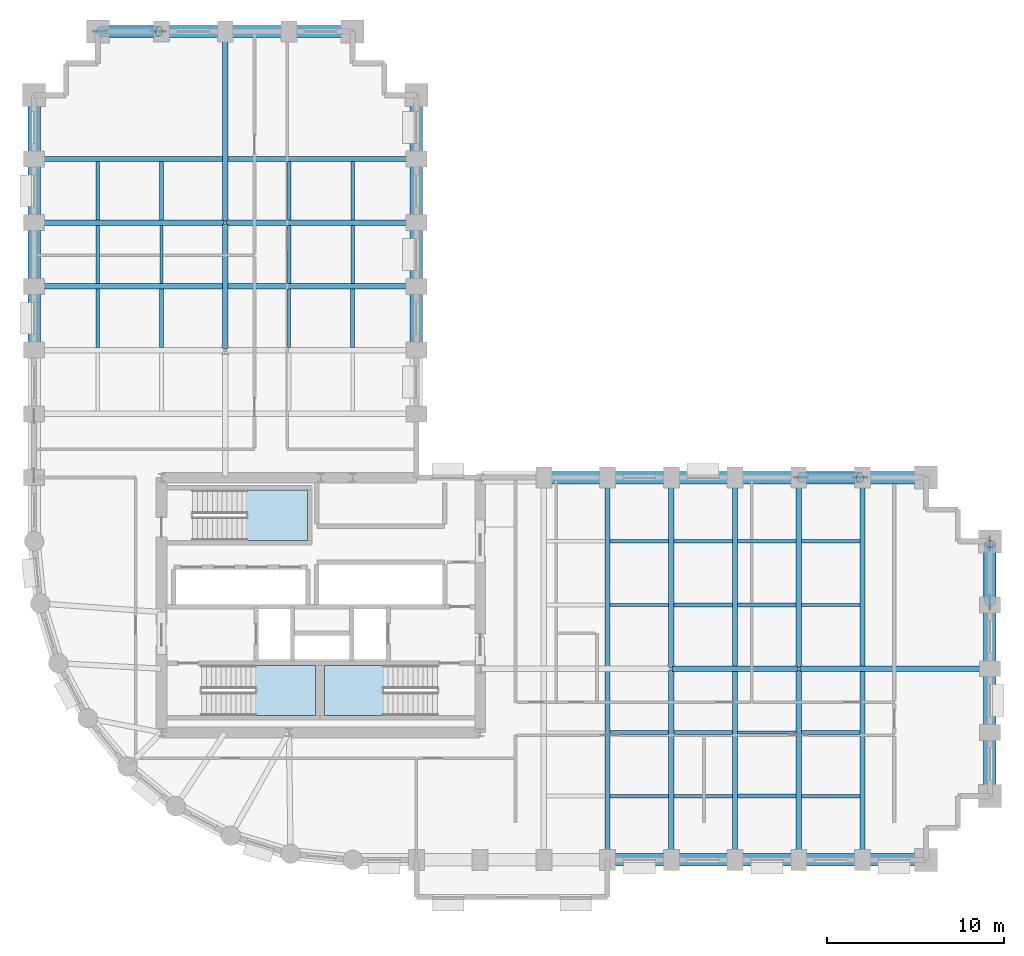
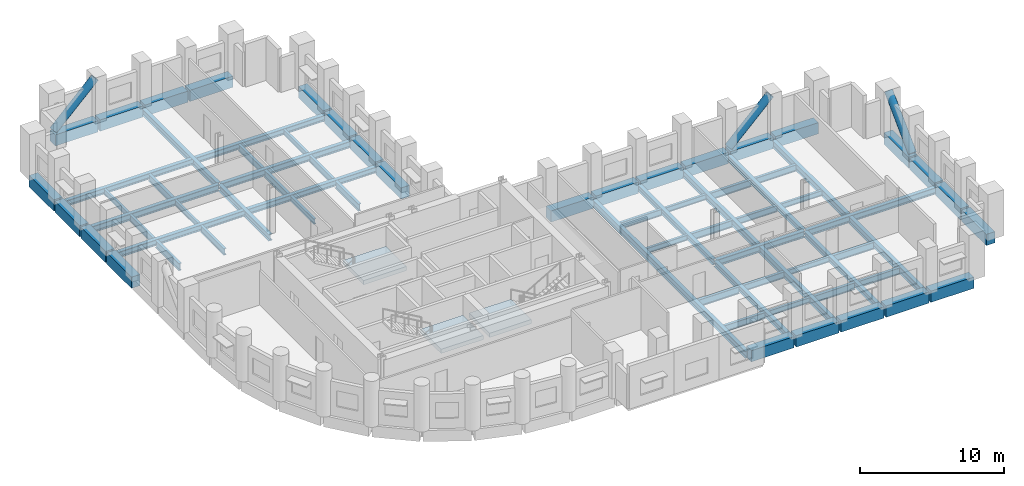
# One storey, part 2 of 12: 70 beams, 3 members, 3 slabs, 3 elements without a shape of their own.
"""IFC4 building model written with IfcOpenShell, lengths in metres."""

from ifc_helpers import new_model, si_unit, direction, frame, origin, origin_2d, place, context, subcontext, project, spatial, polyline, rectangle, hollow_circle, i_section, outline, extrude, material, layer, layer_set, material_profile, profile_set, type_object, element, aggregate, save


model = new_model("IFC4")

# Units and contexts
model_context = context("Model", 3, precision=1e-05, world=origin(), true_north=direction((0.0, 1.0)))
body_context = subcontext(model_context, "Body", "Model", "MODEL_VIEW")
ifc_project = project(units=[si_unit("LENGTHUNIT", "METRE"), si_unit("AREAUNIT", "SQUARE_METRE"), si_unit("VOLUMEUNIT", "CUBIC_METRE"), si_unit("PLANEANGLEUNIT", "RADIAN"), si_unit("MASSUNIT", "GRAM", prefix="KILO")], contexts=[model_context])

# Site, building, storey
site_placement = place(None, origin())
site = spatial("IfcSite", under=ifc_project, at=site_placement, CompositionType="ELEMENT")
building_placement = place(site_placement, origin())
building = spatial("IfcBuilding", under=site, at=building_placement, Name="Solnavia Interchange Tower", CompositionType="ELEMENT")
storey_placement = place(building_placement, frame((0.0, 0.0, 31.800048828125)))
storey = spatial("IfcBuildingStorey", under=building, at=storey_placement, Name="L07", CompositionType="ELEMENT", Elevation=31.800048828125)

# Beams
ifc_material_1 = material(Name="Steel S460", Category="steel")
ifc_material_profile_1 = material_profile(ifc_material_1, i_section(OverallWidth=0.300048828125, OverallDepth=0.550048828125, WebThickness=0.014892578125, FlangeThickness=0.029052734375, FilletRadius=0.027099609375, at=origin_2d()), Name="HEB 550")
ifc_profile_set_1 = profile_set([ifc_material_profile_1], Name="Steel S460")
beam_type_1 = type_object("IfcBeamType", Name="Beam-Girder-HEB550", PredefinedType="BEAM", material=ifc_profile_set_1)
beam_1_placement = place(storey_placement, frame((43.280029296875, 14.39990234375, -0.525146484375), z_axis=(1.0, 0.0, 0.0), x_axis=(0.0, 1.0, 0.0)))
element("IfcBeam", 1, at=beam_1_placement, inside=storey, type_object=beam_type_1, Name="GRD-L07-ES02 East wing spine girder", PredefinedType="BEAM", context=body_context, shape_type="SweptSolid", body=[
    extrude(i_section(OverallWidth=0.300048828125, OverallDepth=0.550048828125, WebThickness=0.014892578125, FlangeThickness=0.029052734375, FilletRadius=0.027099609375, at=origin_2d()), origin(), (0.0, 0.0, 1.0), 7.0400390625),
])
beam_2_placement = place(storey_placement, frame((50.47998046875, 14.39990234375, -0.525146484375), z_axis=(1.0, 0.0, 0.0), x_axis=(0.0, 1.0, 0.0)))
element("IfcBeam", 2, at=beam_2_placement, inside=storey, type_object=beam_type_1, Name="GRD-L07-ES03 East wing spine girder", PredefinedType="BEAM", context=body_context, shape_type="SweptSolid", body=[
    extrude(i_section(OverallWidth=0.300048828125, OverallDepth=0.550048828125, WebThickness=0.014892578125, FlangeThickness=0.029052734375, FilletRadius=0.027099609375, at=origin_2d()), origin(), (0.0, 0.0, 1.0), 10.64013671875),
])
beam_3_placement = place(storey_placement, frame((18.0, 32.47998046875, -0.525146484375), z_axis=(0.0, 1.0, 0.0), x_axis=(-1.0, 0.0, 0.0)))
element("IfcBeam", 3, at=beam_3_placement, inside=storey, type_object=beam_type_1, Name="GRD-L07-NS13 North wing spine girder", PredefinedType="BEAM", context=body_context, shape_type="SweptSolid", body=[
    extrude(i_section(OverallWidth=0.300048828125, OverallDepth=0.550048828125, WebThickness=0.014892578125, FlangeThickness=0.029052734375, FilletRadius=0.027099609375, at=origin_2d()), origin(), (0.0, 0.0, 1.0), 7.0400390625),
])
beam_4_placement = place(storey_placement, frame((18.0, 39.679931640625, -0.525146484375), z_axis=(0.0, 1.0, 0.0), x_axis=(-1.0, 0.0, 0.0)))
element("IfcBeam", 4, at=beam_4_placement, inside=storey, type_object=beam_type_1, Name="GRD-L07-NS14 North wing spine girder", PredefinedType="BEAM", context=body_context, shape_type="SweptSolid", body=[
    extrude(i_section(OverallWidth=0.300048828125, OverallDepth=0.550048828125, WebThickness=0.014892578125, FlangeThickness=0.029052734375, FilletRadius=0.027099609375, at=origin_2d()), origin(), (0.0, 0.0, 1.0), 10.64013671875),
])
for number, where, z_axis, x_axis, name in (
    (5, (7.280029296875, 39.60009765625, -0.525146484375), (1.0, 0.0, 0.0), (0.0, 1.0, 0.0), "GRD-L07-NW19 North wing primary floor girder"),
    (6, (18.080078125, 39.60009765625, -0.525146484375), (1.0, 0.0, 0.0), (0.0, 1.0, 0.0), "GRD-L07-NW20 North wing primary floor girder"),
):
    element("IfcBeam", number, at=place(storey_placement, frame(where, z_axis=z_axis, x_axis=x_axis)), inside=storey, type_object=beam_type_1, Name=name, PredefinedType="BEAM", context=body_context, shape_type="SweptSolid", body=[
        extrude(i_section(OverallWidth=0.300048828125, OverallDepth=0.550048828125, WebThickness=0.014892578125, FlangeThickness=0.029052734375, FilletRadius=0.027099609375, at=origin_2d()), origin(), (0.0, 0.0, 1.0), 10.639892578125),
    ])
ifc_material_2 = material(Name="Steel S355", Category="steel")
ifc_material_profile_2 = material_profile(ifc_material_2, i_section(OverallWidth=0.18994140625, OverallDepth=0.449951171875, WebThickness=0.009521484375, FlangeThickness=0.0146484375, FilletRadius=0.02099609375, at=origin_2d()), Name="IPE 450")
ifc_profile_set_2 = profile_set([ifc_material_profile_2], Name="Steel S355")
beam_type_2 = type_object("IfcBeamType", Name="Beam-Joist-IPE450", PredefinedType="JOIST", material=ifc_profile_set_2)
beam_5_placement = place(storey_placement, frame((43.35009765625, 7.199951171875, -0.47509765625), z_axis=(1.0, 0.0, 0.0), x_axis=(0.0, 1.0, 0.0)))
element("IfcBeam", 7, at=beam_5_placement, inside=storey, type_object=beam_type_2, Name="JST-L07-E03 East wing secondary joist", PredefinedType="JOIST", context=body_context, shape_type="SweptSolid", body=[
    extrude(i_section(OverallWidth=0.18994140625, OverallDepth=0.449951171875, WebThickness=0.009521484375, FlangeThickness=0.0146484375, FilletRadius=0.02099609375, at=origin_2d()), origin(), (0.0, 0.0, 1.0), 3.2998046875),
])
for number, where, z_axis, x_axis, name in (
    (8, (46.949951171875, 10.800048828125, -0.47509765625), (1.0, 0.0, 0.0), (0.0, 1.0, 0.0), "JST-L07-E09 East wing secondary joist"),
    (9, (39.75, 18.0, -0.47509765625), (1.0, 0.0, 0.0), (0.0, 1.0, 0.0), "JST-L07-E12 East wing secondary joist"),
    (10, (50.550048828125, 18.0, -0.47509765625), (1.0, 0.0, 0.0), (0.0, 1.0, 0.0), "JST-L07-E15 East wing secondary joist"),
):
    element("IfcBeam", number, at=place(storey_placement, frame(where, z_axis=z_axis, x_axis=x_axis)), inside=storey, type_object=beam_type_2, Name=name, PredefinedType="JOIST", context=body_context, shape_type="SweptSolid", body=[
        extrude(i_section(OverallWidth=0.18994140625, OverallDepth=0.449951171875, WebThickness=0.009521484375, FlangeThickness=0.0146484375, FilletRadius=0.02099609375, at=origin_2d()), origin(), (0.0, 0.0, 1.0), 3.300048828125),
    ])
beam_6_placement = place(storey_placement, frame((43.35009765625, 21.60009765625, -0.47509765625), z_axis=(1.0, 0.0, 0.0), x_axis=(0.0, 1.0, 0.0)))
element("IfcBeam", 11, at=beam_6_placement, inside=storey, type_object=beam_type_2, Name="JST-L07-E18 East wing secondary joist", PredefinedType="JOIST", context=body_context, shape_type="SweptSolid", body=[
    extrude(i_section(OverallWidth=0.18994140625, OverallDepth=0.449951171875, WebThickness=0.009521484375, FlangeThickness=0.0146484375, FilletRadius=0.02099609375, at=origin_2d()), origin(), (0.0, 0.0, 1.0), 3.2998046875),
])
for number, where, z_axis, x_axis, name in (
    (12, (10.800048828125, 39.75, -0.47509765625), (0.0, 1.0, 0.0), (-1.0, 0.0, 0.0), "JST-L07-N24 North wing secondary joist"),
    (13, (14.39990234375, 36.14990234375, -0.47509765625), (0.0, 1.0, 0.0), (-1.0, 0.0, 0.0), "JST-L07-N27 North wing secondary joist"),
    (14, (21.60009765625, 32.550048828125, -0.47509765625), (0.0, 1.0, 0.0), (-1.0, 0.0, 0.0), "JST-L07-N30 North wing secondary joist"),
    (15, (25.199951171875, 39.75, -0.47509765625), (0.0, 1.0, 0.0), (-1.0, 0.0, 0.0), "JST-L07-N36 North wing secondary joist"),
):
    element("IfcBeam", number, at=place(storey_placement, frame(where, z_axis=z_axis, x_axis=x_axis)), inside=storey, type_object=beam_type_2, Name=name, PredefinedType="JOIST", context=body_context, shape_type="SweptSolid", body=[
        extrude(i_section(OverallWidth=0.18994140625, OverallDepth=0.449951171875, WebThickness=0.009521484375, FlangeThickness=0.0146484375, FilletRadius=0.02099609375, at=origin_2d()), origin(), (0.0, 0.0, 1.0), 3.300048828125),
    ])
ifc_material_profile_3 = material_profile(ifc_material_2, i_section(OverallWidth=0.2099609375, OverallDepth=0.550048828125, WebThickness=0.010986328125, FlangeThickness=0.01708984375, FilletRadius=0.02392578125, at=origin_2d()), Name="IPE 550")
ifc_profile_set_3 = profile_set([ifc_material_profile_3], Name="Steel S355")
beam_type_3 = type_object("IfcBeamType", Name="Beam-Joist-IPE550", PredefinedType="JOIST", material=ifc_profile_set_3)
for number, where, z_axis, x_axis, name in (
    (16, (39.75, 7.199951171875, -0.525146484375), (1.0, 0.0, 0.0), (0.0, 1.0, 0.0), "JST-L07-E02 East wing secondary joist"),
    (17, (50.550048828125, 7.199951171875, -0.525146484375), (1.0, 0.0, 0.0), (0.0, 1.0, 0.0), "JST-L07-E05 East wing secondary joist"),
):
    element("IfcBeam", number, at=place(storey_placement, frame(where, z_axis=z_axis, x_axis=x_axis)), inside=storey, type_object=beam_type_3, Name=name, PredefinedType="JOIST", context=body_context, shape_type="SweptSolid", body=[
        extrude(i_section(OverallWidth=0.2099609375, OverallDepth=0.550048828125, WebThickness=0.010986328125, FlangeThickness=0.01708984375, FilletRadius=0.02392578125, at=origin_2d()), origin(), (0.0, 0.0, 1.0), 3.300048828125),
    ])
beam_7_placement = place(storey_placement, frame((43.35009765625, 10.800048828125, -0.525146484375), z_axis=(1.0, 0.0, 0.0), x_axis=(0.0, 1.0, 0.0)))
element("IfcBeam", 18, at=beam_7_placement, inside=storey, type_object=beam_type_3, Name="JST-L07-E08 East wing secondary joist", PredefinedType="JOIST", context=body_context, shape_type="SweptSolid", body=[
    extrude(i_section(OverallWidth=0.2099609375, OverallDepth=0.550048828125, WebThickness=0.010986328125, FlangeThickness=0.01708984375, FilletRadius=0.02392578125, at=origin_2d()), origin(), (0.0, 0.0, 1.0), 3.2998046875),
])
for number, where, z_axis, x_axis, name in (
    (19, (46.949951171875, 18.0, -0.525146484375), (1.0, 0.0, 0.0), (0.0, 1.0, 0.0), "JST-L07-E14 East wing secondary joist"),
    (20, (39.75, 21.60009765625, -0.525146484375), (1.0, 0.0, 0.0), (0.0, 1.0, 0.0), "JST-L07-E17 East wing secondary joist"),
    (21, (50.550048828125, 21.60009765625, -0.525146484375), (1.0, 0.0, 0.0), (0.0, 1.0, 0.0), "JST-L07-E20 East wing secondary joist"),
    (22, (10.800048828125, 36.14990234375, -0.525146484375), (0.0, 1.0, 0.0), (-1.0, 0.0, 0.0), "JST-L07-N23 North wing secondary joist"),
    (23, (14.39990234375, 32.550048828125, -0.525146484375), (0.0, 1.0, 0.0), (-1.0, 0.0, 0.0), "JST-L07-N26 North wing secondary joist"),
    (24, (21.60009765625, 39.75, -0.525146484375), (0.0, 1.0, 0.0), (-1.0, 0.0, 0.0), "JST-L07-N32 North wing secondary joist"),
    (25, (25.199951171875, 36.14990234375, -0.525146484375), (0.0, 1.0, 0.0), (-1.0, 0.0, 0.0), "JST-L07-N35 North wing secondary joist"),
):
    element("IfcBeam", number, at=place(storey_placement, frame(where, z_axis=z_axis, x_axis=x_axis)), inside=storey, type_object=beam_type_3, Name=name, PredefinedType="JOIST", context=body_context, shape_type="SweptSolid", body=[
        extrude(i_section(OverallWidth=0.2099609375, OverallDepth=0.550048828125, WebThickness=0.010986328125, FlangeThickness=0.01708984375, FilletRadius=0.02392578125, at=origin_2d()), origin(), (0.0, 0.0, 1.0), 3.300048828125),
    ])
ifc_material_profile_4 = material_profile(ifc_material_2, i_section(OverallWidth=0.219970703125, OverallDepth=0.60009765625, WebThickness=0.011962890625, FlangeThickness=0.01904296875, FilletRadius=0.02392578125, at=origin_2d()), Name="IPE 600")
ifc_profile_set_4 = profile_set([ifc_material_profile_4], Name="Steel S355")
beam_type_4 = type_object("IfcBeamType", Name="Beam-Joist-IPE600", PredefinedType="JOIST", material=ifc_profile_set_4)
for number, where, z_axis, x_axis, name in (
    (26, (46.949951171875, 7.199951171875, -0.550048828125), (1.0, 0.0, 0.0), (0.0, 1.0, 0.0), "JST-L07-E04 East wing secondary joist"),
    (27, (39.75, 10.800048828125, -0.550048828125), (1.0, 0.0, 0.0), (0.0, 1.0, 0.0), "JST-L07-E07 East wing secondary joist"),
    (28, (50.550048828125, 10.800048828125, -0.550048828125), (1.0, 0.0, 0.0), (0.0, 1.0, 0.0), "JST-L07-E10 East wing secondary joist"),
):
    element("IfcBeam", number, at=place(storey_placement, frame(where, z_axis=z_axis, x_axis=x_axis)), inside=storey, type_object=beam_type_4, Name=name, PredefinedType="JOIST", context=body_context, shape_type="SweptSolid", body=[
        extrude(i_section(OverallWidth=0.219970703125, OverallDepth=0.60009765625, WebThickness=0.011962890625, FlangeThickness=0.01904296875, FilletRadius=0.02392578125, at=origin_2d()), origin(), (0.0, 0.0, 1.0), 3.300048828125),
    ])
beam_8_placement = place(storey_placement, frame((43.35009765625, 18.0, -0.550048828125), z_axis=(1.0, 0.0, 0.0), x_axis=(0.0, 1.0, 0.0)))
element("IfcBeam", 29, at=beam_8_placement, inside=storey, type_object=beam_type_4, Name="JST-L07-E13 East wing secondary joist", PredefinedType="JOIST", context=body_context, shape_type="SweptSolid", body=[
    extrude(i_section(OverallWidth=0.219970703125, OverallDepth=0.60009765625, WebThickness=0.011962890625, FlangeThickness=0.01904296875, FilletRadius=0.02392578125, at=origin_2d()), origin(), (0.0, 0.0, 1.0), 3.2998046875),
])
for number, where, z_axis, x_axis, name in (
    (30, (46.949951171875, 21.60009765625, -0.550048828125), (1.0, 0.0, 0.0), (0.0, 1.0, 0.0), "JST-L07-E19 East wing secondary joist"),
    (31, (10.800048828125, 32.550048828125, -0.550048828125), (0.0, 1.0, 0.0), (-1.0, 0.0, 0.0), "JST-L07-N22 North wing secondary joist"),
    (32, (14.39990234375, 39.75, -0.550048828125), (0.0, 1.0, 0.0), (-1.0, 0.0, 0.0), "JST-L07-N28 North wing secondary joist"),
    (33, (21.60009765625, 36.14990234375, -0.550048828125), (0.0, 1.0, 0.0), (-1.0, 0.0, 0.0), "JST-L07-N31 North wing secondary joist"),
    (34, (25.199951171875, 32.550048828125, -0.550048828125), (0.0, 1.0, 0.0), (-1.0, 0.0, 0.0), "JST-L07-N34 North wing secondary joist"),
):
    element("IfcBeam", number, at=place(storey_placement, frame(where, z_axis=z_axis, x_axis=x_axis)), inside=storey, type_object=beam_type_4, Name=name, PredefinedType="JOIST", context=body_context, shape_type="SweptSolid", body=[
        extrude(i_section(OverallWidth=0.219970703125, OverallDepth=0.60009765625, WebThickness=0.011962890625, FlangeThickness=0.01904296875, FilletRadius=0.02392578125, at=origin_2d()), origin(), (0.0, 0.0, 1.0), 3.300048828125),
    ])
ifc_material_profile_5 = material_profile(ifc_material_2, i_section(OverallWidth=0.300048828125, OverallDepth=0.489990234375, WebThickness=0.011962890625, FlangeThickness=0.02294921875, FilletRadius=0.027099609375, at=origin_2d()), Name="HEA 500")
ifc_profile_set_5 = profile_set([ifc_material_profile_5], Name="Steel S355")
beam_type_5 = type_object("IfcBeamType", Name="Beam-Primary-HEA500", PredefinedType="BEAM", material=ifc_profile_set_5)
for number, where, z_axis, x_axis, name in (
    (35, (43.199951171875, 3.679931640625, -0.4951171875), (0.0, 1.0, 0.0), (-1.0, 0.0, 0.0), "GRD-L07-EW06 East wing primary floor girder"),
    (36, (43.199951171875, 14.47998046875, -0.4951171875), (0.0, 1.0, 0.0), (-1.0, 0.0, 0.0), "GRD-L07-EW07 East wing primary floor girder"),
    (37, (50.39990234375, 3.679931640625, -0.4951171875), (0.0, 1.0, 0.0), (-1.0, 0.0, 0.0), "GRD-L07-EW09 East wing primary floor girder"),
    (38, (50.39990234375, 14.47998046875, -0.4951171875), (0.0, 1.0, 0.0), (-1.0, 0.0, 0.0), "GRD-L07-EW10 East wing primary floor girder"),
):
    element("IfcBeam", number, at=place(storey_placement, frame(where, z_axis=z_axis, x_axis=x_axis)), inside=storey, type_object=beam_type_5, Name=name, PredefinedType="BEAM", context=body_context, shape_type="SweptSolid", body=[
        extrude(i_section(OverallWidth=0.300048828125, OverallDepth=0.489990234375, WebThickness=0.011962890625, FlangeThickness=0.02294921875, FilletRadius=0.027099609375, at=origin_2d()), origin(), (0.0, 0.0, 1.0), 10.64013671875),
    ])
for number, where, z_axis, x_axis, name in (
    (39, (7.280029296875, 36.0, -0.4951171875), (1.0, 0.0, 0.0), (0.0, 1.0, 0.0), "GRD-L07-NW18 North wing primary floor girder"),
    (40, (7.280029296875, 43.199951171875, -0.4951171875), (1.0, 0.0, 0.0), (0.0, 1.0, 0.0), "GRD-L07-NW21 North wing primary floor girder"),
):
    element("IfcBeam", number, at=place(storey_placement, frame(where, z_axis=z_axis, x_axis=x_axis)), inside=storey, type_object=beam_type_5, Name=name, PredefinedType="BEAM", context=body_context, shape_type="SweptSolid", body=[
        extrude(i_section(OverallWidth=0.300048828125, OverallDepth=0.489990234375, WebThickness=0.011962890625, FlangeThickness=0.02294921875, FilletRadius=0.027099609375, at=origin_2d()), origin(), (0.0, 0.0, 1.0), 21.43994140625),
    ])
ifc_material_profile_6 = material_profile(ifc_material_2, i_section(OverallWidth=0.300048828125, OverallDepth=0.590087890625, WebThickness=0.012939453125, FlangeThickness=0.02490234375, FilletRadius=0.027099609375, at=origin_2d()), Name="HEA 600")
ifc_profile_set_6 = profile_set([ifc_material_profile_6], Name="Steel S355")
beam_type_6 = type_object("IfcBeamType", Name="Beam-Primary-HEA600", PredefinedType="BEAM", material=ifc_profile_set_6)
for number, where, z_axis, x_axis, name in (
    (41, (39.60009765625, 3.679931640625, -0.545166015625), (0.0, 1.0, 0.0), (-1.0, 0.0, 0.0), "GRD-L07-EW05 East wing primary floor girder"),
    (42, (46.800048828125, 3.679931640625, -0.545166015625), (0.0, 1.0, 0.0), (-1.0, 0.0, 0.0), "GRD-L07-EW08 East wing primary floor girder"),
    (43, (54.0, 3.679931640625, -0.545166015625), (0.0, 1.0, 0.0), (-1.0, 0.0, 0.0), "GRD-L07-EW11 East wing primary floor girder"),
):
    element("IfcBeam", number, at=place(storey_placement, frame(where, z_axis=z_axis, x_axis=x_axis)), inside=storey, type_object=beam_type_6, Name=name, PredefinedType="BEAM", context=body_context, shape_type="SweptSolid", body=[
        extrude(i_section(OverallWidth=0.300048828125, OverallDepth=0.590087890625, WebThickness=0.012939453125, FlangeThickness=0.02490234375, FilletRadius=0.027099609375, at=origin_2d()), origin(), (0.0, 0.0, 1.0), 21.440185546875),
    ])
ifc_material_3 = material(Name="Concrete C50/60", Category="concrete")
ifc_material_profile_7 = material_profile(ifc_material_3, rectangle(XDim=0.699951171875, YDim=0.949951171875, at=origin_2d()), Name="RC 700x950")
ifc_profile_set_7 = profile_set([ifc_material_profile_7], Name="Concrete C50/60")
beam_type_7 = type_object("IfcBeamType", Name="Beam-Spandrel-RC700x950", PredefinedType="SPANDREL", material=ifc_profile_set_7)
beam_9_placement = place(storey_placement, frame((39.679931640625, 3.60009765625, -0.47509765625), z_axis=(1.0, 0.0, 0.0), x_axis=(0.0, 1.0, 0.0)))
element("IfcBeam", 44, at=beam_9_placement, inside=storey, type_object=beam_type_7, Name="SPB-L07-13 Framed-tube perimeter spandrel beam", PredefinedType="SPANDREL", context=body_context, shape_type="SweptSolid", body=[
    extrude(rectangle(XDim=0.699951171875, YDim=0.949951171875, at=origin_2d()), origin(), (0.0, 0.0, 1.0), 3.440185546875),
])
beam_10_placement = place(storey_placement, frame((43.280029296875, 3.60009765625, -0.47509765625), z_axis=(1.0, 0.0, 0.0), x_axis=(0.0, 1.0, 0.0)))
element("IfcBeam", 45, at=beam_10_placement, inside=storey, type_object=beam_type_7, Name="SPB-L07-14 Framed-tube perimeter spandrel beam", PredefinedType="SPANDREL", context=body_context, shape_type="SweptSolid", body=[
    extrude(rectangle(XDim=0.699951171875, YDim=0.949951171875, at=origin_2d()), origin(), (0.0, 0.0, 1.0), 3.43994140625),
])
beam_11_placement = place(storey_placement, frame((46.8798828125, 3.60009765625, -0.47509765625), z_axis=(1.0, 0.0, 0.0), x_axis=(0.0, 1.0, 0.0)))
element("IfcBeam", 46, at=beam_11_placement, inside=storey, type_object=beam_type_7, Name="SPB-L07-15 Framed-tube perimeter spandrel beam", PredefinedType="SPANDREL", context=body_context, shape_type="SweptSolid", body=[
    extrude(rectangle(XDim=0.699951171875, YDim=0.949951171875, at=origin_2d()), origin(), (0.0, 0.0, 1.0), 3.440185546875),
])
for number, where, z_axis, x_axis, name in (
    (47, (50.47998046875, 3.60009765625, -0.47509765625), (1.0, 0.0, 0.0), (0.0, 1.0, 0.0), "SPB-L07-16 Framed-tube perimeter spandrel beam"),
    (48, (54.080078125, 3.60009765625, -0.47509765625), (1.0, 0.0, 0.0), (0.0, 1.0, 0.0), "SPB-L07-17 Framed-tube perimeter spandrel beam"),
    (49, (61.199951171875, 7.280029296875, -0.47509765625), (0.0, 1.0, 0.0), (-1.0, 0.0, 0.0), "SPB-L07-18 Framed-tube perimeter spandrel beam"),
):
    element("IfcBeam", number, at=place(storey_placement, frame(where, z_axis=z_axis, x_axis=x_axis)), inside=storey, type_object=beam_type_7, Name=name, PredefinedType="SPANDREL", context=body_context, shape_type="SweptSolid", body=[
        extrude(rectangle(XDim=0.699951171875, YDim=0.949951171875, at=origin_2d()), origin(), (0.0, 0.0, 1.0), 3.43994140625),
    ])
beam_12_placement = place(storey_placement, frame((61.199951171875, 10.8798828125, -0.47509765625), z_axis=(0.0, 1.0, 0.0), x_axis=(-1.0, 0.0, 0.0)))
element("IfcBeam", 50, at=beam_12_placement, inside=storey, type_object=beam_type_7, Name="SPB-L07-19 Framed-tube perimeter spandrel beam", PredefinedType="SPANDREL", context=body_context, shape_type="SweptSolid", body=[
    extrude(rectangle(XDim=0.699951171875, YDim=0.949951171875, at=origin_2d()), origin(), (0.0, 0.0, 1.0), 3.440185546875),
])
for number, where, z_axis, x_axis, name in (
    (51, (61.199951171875, 14.47998046875, -0.47509765625), (0.0, 1.0, 0.0), (-1.0, 0.0, 0.0), "SPB-L07-20 Framed-tube perimeter spandrel beam"),
    (52, (61.199951171875, 18.080078125, -0.47509765625), (0.0, 1.0, 0.0), (-1.0, 0.0, 0.0), "SPB-L07-21 Framed-tube perimeter spandrel beam"),
    (53, (57.52001953125, 25.199951171875, -0.47509765625), (-1.0, 0.0, 0.0), (0.0, -1.0, 0.0), "SPB-L07-22 Framed-tube perimeter spandrel beam"),
    (54, (53.919921875, 25.199951171875, -0.47509765625), (-1.0, 0.0, 0.0), (0.0, -1.0, 0.0), "SPB-L07-23 Framed-tube perimeter spandrel beam"),
):
    element("IfcBeam", number, at=place(storey_placement, frame(where, z_axis=z_axis, x_axis=x_axis)), inside=storey, type_object=beam_type_7, Name=name, PredefinedType="SPANDREL", context=body_context, shape_type="SweptSolid", body=[
        extrude(rectangle(XDim=0.699951171875, YDim=0.949951171875, at=origin_2d()), origin(), (0.0, 0.0, 1.0), 3.43994140625),
    ])
beam_13_placement = place(storey_placement, frame((50.320068359375, 25.199951171875, -0.47509765625), z_axis=(-1.0, 0.0, 0.0), x_axis=(0.0, -1.0, 0.0)))
element("IfcBeam", 55, at=beam_13_placement, inside=storey, type_object=beam_type_7, Name="SPB-L07-24 Framed-tube perimeter spandrel beam", PredefinedType="SPANDREL", context=body_context, shape_type="SweptSolid", body=[
    extrude(rectangle(XDim=0.699951171875, YDim=0.949951171875, at=origin_2d()), origin(), (0.0, 0.0, 1.0), 3.440185546875),
])
beam_14_placement = place(storey_placement, frame((46.719970703125, 25.199951171875, -0.47509765625), z_axis=(-1.0, 0.0, 0.0), x_axis=(0.0, -1.0, 0.0)))
element("IfcBeam", 56, at=beam_14_placement, inside=storey, type_object=beam_type_7, Name="SPB-L07-25 Framed-tube perimeter spandrel beam", PredefinedType="SPANDREL", context=body_context, shape_type="SweptSolid", body=[
    extrude(rectangle(XDim=0.699951171875, YDim=0.949951171875, at=origin_2d()), origin(), (0.0, 0.0, 1.0), 3.43994140625),
])
beam_15_placement = place(storey_placement, frame((43.1201171875, 25.199951171875, -0.47509765625), z_axis=(-1.0, 0.0, 0.0), x_axis=(0.0, -1.0, 0.0)))
element("IfcBeam", 57, at=beam_15_placement, inside=storey, type_object=beam_type_7, Name="SPB-L07-26 Framed-tube perimeter spandrel beam", PredefinedType="SPANDREL", context=body_context, shape_type="SweptSolid", body=[
    extrude(rectangle(XDim=0.699951171875, YDim=0.949951171875, at=origin_2d()), origin(), (0.0, 0.0, 1.0), 3.440185546875),
])
for number, where, z_axis, x_axis, name in (
    (58, (39.52001953125, 25.199951171875, -0.47509765625), (-1.0, 0.0, 0.0), (0.0, -1.0, 0.0), "SPB-L07-27 Framed-tube perimeter spandrel beam"),
    (59, (28.800048828125, 32.47998046875, -0.47509765625), (0.0, 1.0, 0.0), (-1.0, 0.0, 0.0), "SPB-L07-30 Framed-tube perimeter spandrel beam"),
    (60, (28.800048828125, 36.080078125, -0.47509765625), (0.0, 1.0, 0.0), (-1.0, 0.0, 0.0), "SPB-L07-31 Framed-tube perimeter spandrel beam"),
):
    element("IfcBeam", number, at=place(storey_placement, frame(where, z_axis=z_axis, x_axis=x_axis)), inside=storey, type_object=beam_type_7, Name=name, PredefinedType="SPANDREL", context=body_context, shape_type="SweptSolid", body=[
        extrude(rectangle(XDim=0.699951171875, YDim=0.949951171875, at=origin_2d()), origin(), (0.0, 0.0, 1.0), 3.43994140625),
    ])
beam_16_placement = place(storey_placement, frame((28.800048828125, 39.679931640625, -0.47509765625), z_axis=(0.0, 1.0, 0.0), x_axis=(-1.0, 0.0, 0.0)))
element("IfcBeam", 61, at=beam_16_placement, inside=storey, type_object=beam_type_7, Name="SPB-L07-32 Framed-tube perimeter spandrel beam", PredefinedType="SPANDREL", context=body_context, shape_type="SweptSolid", body=[
    extrude(rectangle(XDim=0.699951171875, YDim=0.949951171875, at=origin_2d()), origin(), (0.0, 0.0, 1.0), 3.440185546875),
])
beam_17_placement = place(storey_placement, frame((28.800048828125, 43.280029296875, -0.47509765625), z_axis=(0.0, 1.0, 0.0), x_axis=(-1.0, 0.0, 0.0)))
element("IfcBeam", 62, at=beam_17_placement, inside=storey, type_object=beam_type_7, Name="SPB-L07-33 Framed-tube perimeter spandrel beam", PredefinedType="SPANDREL", context=body_context, shape_type="SweptSolid", body=[
    extrude(rectangle(XDim=0.699951171875, YDim=0.949951171875, at=origin_2d()), origin(), (0.0, 0.0, 1.0), 3.43994140625),
])
beam_18_placement = place(storey_placement, frame((25.1201171875, 50.39990234375, -0.47509765625), z_axis=(-1.0, 0.0, 0.0), x_axis=(0.0, -1.0, 0.0)))
element("IfcBeam", 63, at=beam_18_placement, inside=storey, type_object=beam_type_7, Name="SPB-L07-34 Framed-tube perimeter spandrel beam", PredefinedType="SPANDREL", context=body_context, shape_type="SweptSolid", body=[
    extrude(rectangle(XDim=0.699951171875, YDim=0.949951171875, at=origin_2d()), origin(), (0.0, 0.0, 1.0), 3.440185546875),
])
for number, where, z_axis, x_axis, name in (
    (64, (21.52001953125, 50.39990234375, -0.47509765625), (-1.0, 0.0, 0.0), (0.0, -1.0, 0.0), "SPB-L07-35 Framed-tube perimeter spandrel beam"),
    (65, (17.919921875, 50.39990234375, -0.47509765625), (-1.0, 0.0, 0.0), (0.0, -1.0, 0.0), "SPB-L07-36 Framed-tube perimeter spandrel beam"),
):
    element("IfcBeam", number, at=place(storey_placement, frame(where, z_axis=z_axis, x_axis=x_axis)), inside=storey, type_object=beam_type_7, Name=name, PredefinedType="SPANDREL", context=body_context, shape_type="SweptSolid", body=[
        extrude(rectangle(XDim=0.699951171875, YDim=0.949951171875, at=origin_2d()), origin(), (0.0, 0.0, 1.0), 3.43994140625),
    ])
beam_19_placement = place(storey_placement, frame((14.320068359375, 50.39990234375, -0.47509765625), z_axis=(-1.0, 0.0, 0.0), x_axis=(0.0, -1.0, 0.0)))
element("IfcBeam", 66, at=beam_19_placement, inside=storey, type_object=beam_type_7, Name="SPB-L07-37 Framed-tube perimeter spandrel beam", PredefinedType="SPANDREL", context=body_context, shape_type="SweptSolid", body=[
    extrude(rectangle(XDim=0.699951171875, YDim=0.949951171875, at=origin_2d()), origin(), (0.0, 0.0, 1.0), 3.440185546875),
])
beam_20_placement = place(storey_placement, frame((7.199951171875, 46.719970703125, -0.47509765625), z_axis=(0.0, -1.0, 0.0), x_axis=(1.0, 0.0, 0.0)))
element("IfcBeam", 67, at=beam_20_placement, inside=storey, type_object=beam_type_7, Name="SPB-L07-38 Framed-tube perimeter spandrel beam", PredefinedType="SPANDREL", context=body_context, shape_type="SweptSolid", body=[
    extrude(rectangle(XDim=0.699951171875, YDim=0.949951171875, at=origin_2d()), origin(), (0.0, 0.0, 1.0), 3.43994140625),
])
beam_21_placement = place(storey_placement, frame((7.199951171875, 43.1201171875, -0.47509765625), z_axis=(0.0, -1.0, 0.0), x_axis=(1.0, 0.0, 0.0)))
element("IfcBeam", 68, at=beam_21_placement, inside=storey, type_object=beam_type_7, Name="SPB-L07-39 Framed-tube perimeter spandrel beam", PredefinedType="SPANDREL", context=body_context, shape_type="SweptSolid", body=[
    extrude(rectangle(XDim=0.699951171875, YDim=0.949951171875, at=origin_2d()), origin(), (0.0, 0.0, 1.0), 3.440185546875),
])
for number, where, z_axis, x_axis, name in (
    (69, (7.199951171875, 39.52001953125, -0.47509765625), (0.0, -1.0, 0.0), (1.0, 0.0, 0.0), "SPB-L07-40 Framed-tube perimeter spandrel beam"),
    (70, (7.199951171875, 35.919921875, -0.47509765625), (0.0, -1.0, 0.0), (1.0, 0.0, 0.0), "SPB-L07-41 Framed-tube perimeter spandrel beam"),
):
    element("IfcBeam", number, at=place(storey_placement, frame(where, z_axis=z_axis, x_axis=x_axis)), inside=storey, type_object=beam_type_7, Name=name, PredefinedType="SPANDREL", context=body_context, shape_type="SweptSolid", body=[
        extrude(rectangle(XDim=0.699951171875, YDim=0.949951171875, at=origin_2d()), origin(), (0.0, 0.0, 1.0), 3.43994140625),
    ])

# Members
ifc_material_profile_8 = material_profile(ifc_material_1, hollow_circle(Radius=0.304931640625, WallThickness=0.02490234375, at=origin_2d()), Name="CHS 610x25")
ifc_profile_set_8 = profile_set([ifc_material_profile_8], Name="Steel S460")
member_type = type_object("IfcMemberType", Name="Brace-Perim-CHS610", PredefinedType="BRACE", material=ifc_profile_set_8)
for number, where, z_axis, x_axis, name in (
    (71, (61.199951171875, 18.139892578125, 0.179931640625), (0.0, 0.710311792477, 0.703887176661), (-1.0, 0.0, 0.0), "BRC-L07-02 Perimeter tube diagonal brace"),
    (72, (10.93994140625, 50.39990234375, 0.179931640625), (0.710311792477, 0.0, 0.703887176661), (0.0, 1.0, 0.0), "BRC-L07-03 Perimeter tube diagonal brace"),
    (73, (50.5400390625, 25.199951171875, 0.179931640625), (0.710311792477, 0.0, 0.703887176661), (0.0, 1.0, 0.0), "BRC-L07-04 Perimeter tube diagonal brace"),
):
    element("IfcMember", number, at=place(storey_placement, frame(where, z_axis=z_axis, x_axis=x_axis)), inside=storey, type_object=member_type, Name=name, PredefinedType="BRACE", context=body_context, shape_type="SweptSolid", body=[
        extrude(hollow_circle(Radius=0.304931640625, WallThickness=0.02490234375, at=origin_2d()), origin(), (0.0, 0.0, 1.0), 4.674072265625),
    ])

# Stair, slab
ifc_material_4 = material(Name="Concrete C40/50", Category="concrete")
stair_type = type_object("IfcStairType", Name="Stair-Dogleg-RC", PredefinedType="HALF_TURN_STAIR", material=ifc_material_4)
stair_1_placement = place(storey_placement, origin())
stair_1 = element("IfcStair", 74, at=stair_1_placement, inside=storey, type_object=stair_type, Name="L07 Core exit stair 1", PredefinedType="HALF_TURN_STAIR")
ifc_layer = layer(ifc_material_4, 0.35009765625)
ifc_layer_set = layer_set([ifc_layer], Name="Concrete C40/50")
slab_type = type_object("IfcSlabType", Name="Slab-StairLanding-350", PredefinedType="LANDING", material=ifc_layer_set)
slab_1_placement = place(storey_placement, frame((0.0, 0.0, 1.599853515625)))
slab_1 = element("IfcSlab", 75, at=slab_1_placement, type_object=slab_type, Name="ST-1 landing 1", PredefinedType="LANDING", context=body_context, shape_type="SweptSolid", body=[
    extrude(outline(polyline([(19.7080078125, 11.75), (23.10009765625, 11.75), (23.10009765625, 14.590087890625), (19.7080078125, 14.590087890625), (19.7080078125, 11.75)])), origin(), (0.0, 0.0, 1.0), 0.35009765625),
])
aggregate(stair_1, [slab_1])

stair_2_placement = place(storey_placement, origin())
stair_2 = element("IfcStair", 76, at=stair_2_placement, inside=storey, type_object=stair_type, Name="L07 Core exit stair 2", PredefinedType="HALF_TURN_STAIR")
slab_2_placement = place(storey_placement, frame((0.0, 0.0, 1.599853515625)))
slab_2 = element("IfcSlab", 77, at=slab_2_placement, type_object=slab_type, Name="ST-2 landing 1", PredefinedType="LANDING", context=body_context, shape_type="SweptSolid", body=[
    extrude(outline(polyline([(23.60009765625, 11.75), (26.94189453125, 11.75), (26.94189453125, 14.590087890625), (23.60009765625, 14.590087890625), (23.60009765625, 11.75)])), origin(), (0.0, 0.0, 1.0), 0.35009765625),
])
aggregate(stair_2, [slab_2])

stair_3_placement = place(storey_placement, origin())
stair_3 = element("IfcStair", 78, at=stair_3_placement, inside=storey, type_object=stair_type, Name="L07 Core exit stair 3", PredefinedType="HALF_TURN_STAIR")
slab_3_placement = place(storey_placement, frame((0.0, 0.0, 1.599853515625)))
slab_3 = element("IfcSlab", 79, at=slab_3_placement, type_object=slab_type, Name="ST-3 landing 1", PredefinedType="LANDING", context=body_context, shape_type="SweptSolid", body=[
    extrude(outline(polyline([(19.2080078125, 21.64990234375), (22.64990234375, 21.64990234375), (22.64990234375, 24.489990234375), (19.2080078125, 24.489990234375), (19.2080078125, 21.64990234375)])), origin(), (0.0, 0.0, 1.0), 0.35009765625),
])
aggregate(stair_3, [slab_3])

save(model, "model.ifc")
